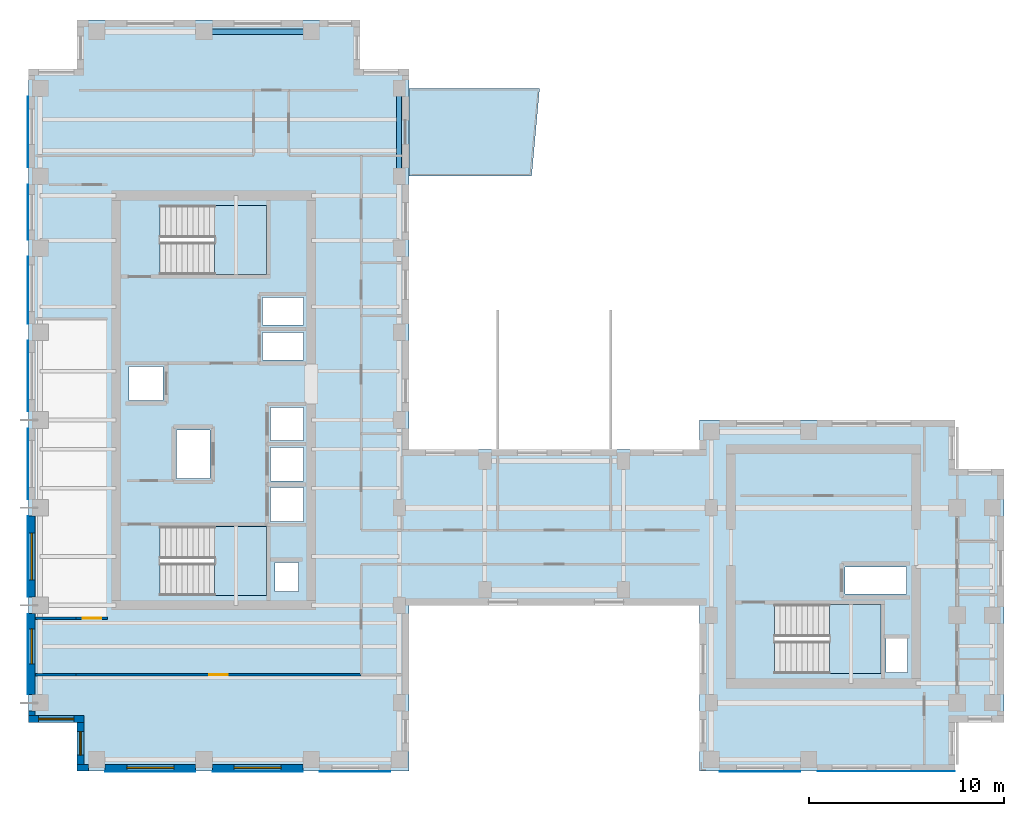
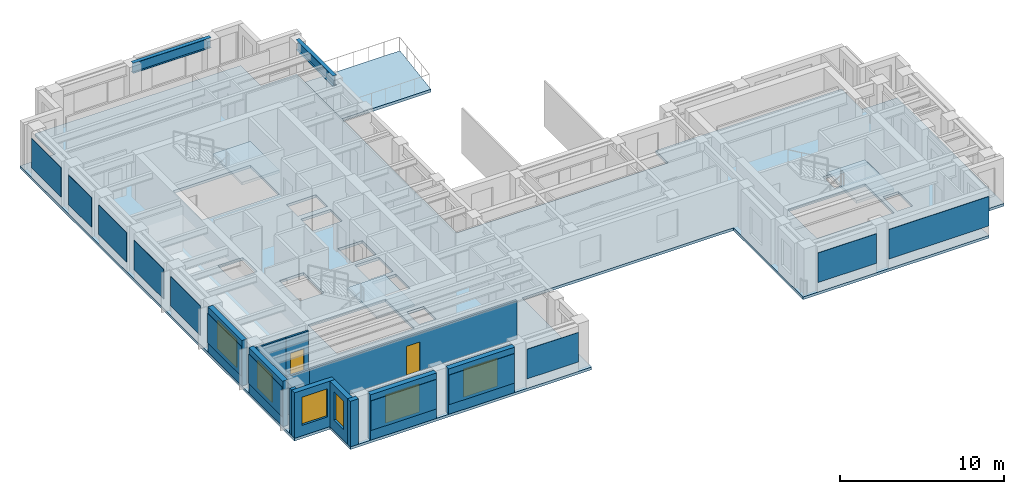
# One storey, part 2 of 10: 12 plates, 12 walls, 6 windows, 5 slabs, 2 beams, 2 doors, 8 openings, 3 elements without a shape of their own.
"""IFC4 building model written with IfcOpenShell, lengths in metres."""

from ifc_helpers import new_model, si_unit, direction, frame, frame_2d, origin, origin_2d, place, context, subcontext, project, spatial, polyline, rectangle, i_section, outline, extrude, source, transform, mapped, material, layer, layer_set, material_profile, profile_set, type_object, element, fill, aggregate, save


model = new_model("IFC4")

# Units and contexts
model_context = context("Model", 3, precision=1e-05, world=origin(), true_north=direction((0.0, 1.0)))
body_context = subcontext(model_context, "Body", "Model", "MODEL_VIEW")
ifc_project = project(units=[si_unit("LENGTHUNIT", "METRE"), si_unit("AREAUNIT", "SQUARE_METRE"), si_unit("VOLUMEUNIT", "CUBIC_METRE"), si_unit("PLANEANGLEUNIT", "RADIAN"), si_unit("MASSUNIT", "GRAM", prefix="KILO")], contexts=[model_context])

# Site, building, storey
site_placement = place(None, origin())
site = spatial("IfcSite", under=ifc_project, at=site_placement, CompositionType="ELEMENT")
building_placement = place(site_placement, origin())
building = spatial("IfcBuilding", under=site, at=building_placement, Name="Kharzan Plaza Tower", CompositionType="ELEMENT")
storey_placement = place(building_placement, frame((0.0, 0.0, 223.199951171875)))
storey = spatial("IfcBuildingStorey", under=building, at=storey_placement, Name="L60", CompositionType="ELEMENT", Elevation=223.199951171875)

# Beams
ifc_material_1 = material(Name="Steel S355", Category="steel")
ifc_material_profile = material_profile(ifc_material_1, i_section(OverallWidth=0.26708984375, OverallDepth=0.76611328125, WebThickness=0.014892578125, FlangeThickness=0.023681640625, at=origin_2d()), Name="W760x185")
ifc_profile_set = profile_set([ifc_material_profile], Name="Steel S355")
beam_type = type_object("IfcBeamType", Name="BM-SP760B", PredefinedType="SPANDREL", material=ifc_profile_set)
shared_shape_1 = source(origin(), body_context, "Body", "SweptSolid", [
    extrude(i_section(OverallWidth=0.26708984375, OverallDepth=0.76611328125, WebThickness=0.014892578125, FlangeThickness=0.023681640625, at=origin_2d()), origin(), (0.0, 0.0, 1.0), 4.5),
])
beam_1_placement = place(storey_placement, frame((19.0, 30.5, 3.01708984375), z_axis=(0.0, 1.0, 0.0), x_axis=(-1.0, 0.0, 0.0)))
element("IfcBeam", 1, at=beam_1_placement, inside=storey, type_object=beam_type, Name="L60 Perimeter Tube Spandrel", PredefinedType="SPANDREL", context=body_context, shape_type="MappedRepresentation", body=[
    mapped(shared_shape_1, transform((0.0, 0.0, 0.0), x_axis=(1.0, 0.0, 0.0), y_axis=(0.0, 1.0, 0.0), z_axis=(0.0, 0.0, 1.0))),
])
shared_shape_2 = source(origin(), body_context, "Body", "SweptSolid", [
    extrude(i_section(OverallWidth=0.26708984375, OverallDepth=0.76611328125, WebThickness=0.014892578125, FlangeThickness=0.023681640625, at=origin_2d()), origin(), (0.0, 0.0, 1.0), 5.5),
])
beam_2_placement = place(storey_placement, frame((9.0, 37.89990234375, 3.01708984375), z_axis=(1.0, 0.0, 0.0), x_axis=(0.0, 1.0, 0.0)))
element("IfcBeam", 2, at=beam_2_placement, inside=storey, type_object=beam_type, Name="L60 Perimeter Tube Spandrel", PredefinedType="SPANDREL", context=body_context, shape_type="MappedRepresentation", body=[
    mapped(shared_shape_2, transform((0.0, 0.0, 0.0), x_axis=(1.0, 0.0, 0.0), y_axis=(0.0, 1.0, 0.0), z_axis=(0.0, 0.0, 1.0))),
])

# Slab
ifc_material_2 = material(Name="Concrete C40/50", Category="concrete")
ifc_layer_1 = layer(ifc_material_2, 0.199951171875)
ifc_layer_set_1 = layer_set([ifc_layer_1], Name="Concrete C40/50")
slab_type_1 = type_object("IfcSlabType", Name="SL-FLOOR-200", PredefinedType="FLOOR", material=ifc_layer_set_1)
slab_1_placement = place(storey_placement, frame((0.0, 0.0, -0.199951171875)))
element("IfcSlab", 3, at=slab_1_placement, inside=storey, type_object=slab_type_1, Name="L60 Composite Structural Floor Slab 200 mm", PredefinedType="FLOOR", context=body_context, shape_type="SweptSolid", body=[
    extrude(outline(polyline([(34.39990234375, 16.5), (19.5, 16.5), (19.5, 36.0), (17.0, 36.0), (17.0, 38.5), (2.5, 38.5), (2.5, 36.0), (0.0, 36.0), (0.0, 2.5), (2.5, 2.5), (2.5, 0.0), (19.5, 0.0), (19.5, 8.5), (34.39990234375, 8.5), (34.39990234375, 0.0), (47.5, 0.0), (47.5, 2.5), (50.0, 2.5), (50.0, 15.5), (47.5, 15.5), (47.5, 18.0), (34.39990234375, 18.0), (34.39990234375, 16.5)]), holes=[polyline([(12.199951171875, 12.550048828125), (6.75, 12.550048828125), (6.75, 9.0), (12.199951171875, 9.0), (12.199951171875, 12.550048828125)]), polyline([(14.10009765625, 12.800048828125), (14.10009765625, 14.530029296875), (12.39990234375, 14.530029296875), (12.39990234375, 12.800048828125), (14.10009765625, 12.800048828125)]), polyline([(9.300048828125, 15.0), (9.300048828125, 17.5), (7.60009765625, 17.5), (7.60009765625, 15.0), (9.300048828125, 15.0)]), polyline([(6.89990234375, 20.72998046875), (5.14990234375, 20.72998046875), (5.14990234375, 19.010009765625), (6.89990234375, 19.010009765625), (6.89990234375, 20.72998046875)]), polyline([(14.10009765625, 21.070068359375), (14.10009765625, 22.489990234375), (12.0, 22.489990234375), (12.0, 21.070068359375), (14.10009765625, 21.070068359375)]), polyline([(14.10009765625, 22.8701171875), (14.10009765625, 24.2900390625), (12.0, 24.2900390625), (12.0, 22.8701171875), (14.10009765625, 22.8701171875)]), polyline([(12.199951171875, 29.0), (6.75, 29.0), (6.75, 25.449951171875), (12.199951171875, 25.449951171875), (12.199951171875, 29.0)]), polyline([(45.050048828125, 5.050048828125), (45.050048828125, 6.800048828125), (43.949951171875, 6.800048828125), (43.949951171875, 5.050048828125), (45.050048828125, 5.050048828125)]), polyline([(43.699951171875, 5.0), (43.699951171875, 8.550048828125), (38.25, 8.550048828125), (38.25, 5.0), (43.699951171875, 5.0)]), polyline([(45.0, 9.070068359375), (45.0, 10.469970703125), (41.85009765625, 10.469970703125), (41.85009765625, 9.070068359375), (45.0, 9.070068359375)]), polyline([(13.85009765625, 9.199951171875), (13.85009765625, 10.699951171875), (12.64990234375, 10.699951171875), (12.64990234375, 9.199951171875), (13.85009765625, 9.199951171875)]), polyline([(14.10009765625, 14.8701171875), (14.10009765625, 16.60009765625), (12.39990234375, 16.60009765625), (12.39990234375, 14.8701171875), (14.10009765625, 14.8701171875)]), polyline([(14.10009765625, 16.93994140625), (14.10009765625, 18.64990234375), (12.39990234375, 18.64990234375), (12.39990234375, 16.93994140625), (14.10009765625, 16.93994140625)])]), origin(), (0.0, 0.0, 1.0), 0.199951171875),
])

# Stair, slab
stair_type_1 = type_object("IfcStairType", Name="STR-ST-1", PredefinedType="HALF_TURN_STAIR", material=ifc_material_2)
stair_1_placement = place(storey_placement, origin())
stair_1 = element("IfcStair", 4, at=stair_1_placement, inside=storey, type_object=stair_type_1, Name="L60 Protected Exit Stair ST-1", PredefinedType="HALF_TURN_STAIR")
ifc_layer_2 = layer(ifc_material_2, 0.219970703125)
ifc_layer_set_2 = layer_set([ifc_layer_2], Name="Concrete C40/50")
slab_type_2 = type_object("IfcSlabType", Name="SL-LANDING-220", PredefinedType="LANDING", material=ifc_layer_set_2)
slab_2_placement = place(storey_placement, frame((0.0, 0.0, 1.60009765625)))
slab_2 = element("IfcSlab", 5, at=slab_2_placement, type_object=slab_type_2, Name="ST-1 landing 1", PredefinedType="LANDING", context=body_context, shape_type="SweptSolid", body=[
    extrude(outline(polyline([(9.550048828125, 9.0), (12.199951171875, 9.0), (12.199951171875, 12.550048828125), (9.550048828125, 12.550048828125), (9.550048828125, 9.0)])), origin(), (0.0, 0.0, 1.0), 0.199951171875),
])
aggregate(stair_1, [slab_2])

stair_type_2 = type_object("IfcStairType", Name="STR-ST-2", PredefinedType="HALF_TURN_STAIR", material=ifc_material_2)
stair_2_placement = place(storey_placement, origin())
stair_2 = element("IfcStair", 6, at=stair_2_placement, inside=storey, type_object=stair_type_2, Name="L60 Protected Exit Stair ST-2", PredefinedType="HALF_TURN_STAIR")
slab_3_placement = place(storey_placement, frame((0.0, 0.0, 1.60009765625)))
slab_3 = element("IfcSlab", 7, at=slab_3_placement, type_object=slab_type_2, Name="ST-2 landing 1", PredefinedType="LANDING", context=body_context, shape_type="SweptSolid", body=[
    extrude(outline(polyline([(9.550048828125, 25.449951171875), (12.199951171875, 25.449951171875), (12.199951171875, 29.0), (9.550048828125, 29.0), (9.550048828125, 25.449951171875)])), origin(), (0.0, 0.0, 1.0), 0.199951171875),
])
aggregate(stair_2, [slab_3])

stair_type_3 = type_object("IfcStairType", Name="STR-ST-3", PredefinedType="HALF_TURN_STAIR", material=ifc_material_2)
stair_3_placement = place(storey_placement, origin())
stair_3 = element("IfcStair", 8, at=stair_3_placement, inside=storey, type_object=stair_type_3, Name="L60 Protected Exit Stair ST-3", PredefinedType="HALF_TURN_STAIR")
slab_4_placement = place(storey_placement, frame((0.0, 0.0, 1.60009765625)))
slab_4 = element("IfcSlab", 9, at=slab_4_placement, type_object=slab_type_2, Name="ST-3 landing 1", PredefinedType="LANDING", context=body_context, shape_type="SweptSolid", body=[
    extrude(outline(polyline([(41.050048828125, 5.0), (43.699951171875, 5.0), (43.699951171875, 8.550048828125), (41.050048828125, 8.550048828125), (41.050048828125, 5.0)])), origin(), (0.0, 0.0, 1.0), 0.199951171875),
])
aggregate(stair_3, [slab_4])

# Slab
ifc_layer_3 = layer(ifc_material_2, 0.215087890625)
ifc_layer_set_3 = layer_set([ifc_layer_3], Name="Concrete C40/50")
slab_type_3 = type_object("IfcSlabType", Name="SL-TRAY-215", PredefinedType="ROOF", material=ifc_layer_set_3)
slab_5_placement = place(storey_placement, frame((0.0, 0.0, -0.21484375)))
element("IfcSlab", 10, at=slab_5_placement, inside=storey, type_object=slab_type_3, Name="L60 Sky Terrace Tray Slab", PredefinedType="ROOF", context=body_context, shape_type="SweptSolid", body=[
    extrude(outline(polyline([(19.5, 30.5), (25.7900390625, 30.5), (26.199951171875, 35.0), (19.5, 35.0), (19.5, 30.5)])), origin(), (0.0, 0.0, 1.0), 0.21484375),
])

# Plates
ifc_material_3 = material(Name="Perforated Bronze-Anodized Aluminium", Category="aluminium")
ifc_layer_4 = layer(ifc_material_3, 0.030029296875)
ifc_layer_set_4 = layer_set([ifc_layer_4], Name="Perforated Bronze-Anodized Aluminium")
plate_type = type_object("IfcPlateType", Name="PLT-MASH-SCREEN", PredefinedType="SHEET", material=ifc_layer_set_4)
shared_shape_3 = source(origin(), body_context, "Body", "SweptSolid", [
    extrude(rectangle(XDim=3.614013671875, YDim=0.030029296875, at=origin_2d()), origin(), (0.0, 0.0, 1.0), 2.199951171875),
])
for number, where, z_axis, x_axis, name in (
    (11, (-0.012939453125, 32.75, 0.72998046875), (0.0, 0.0, 1.0), (0.0, -1.0, 0.0), "L60 Perforated Mashrabiya Solar Screen"),
    (12, (-0.012939453125, 20.25, 0.72998046875), (0.0, 0.0, 1.0), (0.0, -1.0, 0.0), "L60 Perforated Mashrabiya Solar Screen"),
    (13, (-0.012939453125, 15.75, 0.72998046875), (0.0, 0.0, 1.0), (0.0, -1.0, 0.0), "L60 Perforated Mashrabiya Solar Screen"),
    (14, (16.75, -0.012939453125, 0.72998046875), (0.0, 0.0, 1.0), (1.0, 0.0, 0.0), "L60 Perforated Mashrabiya Solar Screen"),
):
    element("IfcPlate", number, at=place(storey_placement, frame(where, z_axis=z_axis, x_axis=x_axis)), inside=storey, type_object=plate_type, Name=name, PredefinedType="SHEET", context=body_context, shape_type="MappedRepresentation", body=[
        mapped(shared_shape_3, transform((0.0, 0.0, 0.0), x_axis=(1.0, 0.0, 0.0), y_axis=(0.0, 1.0, 0.0), z_axis=(0.0, 0.0, 1.0))),
    ])
shared_shape_4 = source(origin(), body_context, "Body", "SweptSolid", [
    extrude(rectangle(XDim=2.81396484375, YDim=0.030029296875, at=origin_2d()), origin(), (0.0, 0.0, 1.0), 2.199951171875),
])
plate_1_placement = place(storey_placement, frame((-0.012939453125, 28.64990234375, 0.72998046875), z_axis=(0.0, 0.0, 1.0), x_axis=(0.0, -1.0, 0.0)))
element("IfcPlate", 15, at=plate_1_placement, inside=storey, type_object=plate_type, Name="L60 Perforated Mashrabiya Solar Screen", PredefinedType="SHEET", context=body_context, shape_type="MappedRepresentation", body=[
    mapped(shared_shape_4, transform((0.0, 0.0, 0.0), x_axis=(1.0, 0.0, 0.0), y_axis=(0.0, 1.0, 0.0), z_axis=(0.0, 0.0, 1.0))),
])
shared_shape_5 = source(origin(), body_context, "Body", "SweptSolid", [
    extrude(rectangle(XDim=4.114013671875, YDim=0.030029296875, at=origin_2d()), origin(), (0.0, 0.0, 1.0), 2.199951171875),
])
for number, where, z_axis, x_axis, name in (
    (16, (-0.012939453125, 11.0, 0.72998046875), (0.0, 0.0, 1.0), (0.0, -1.0, 0.0), "L60 Perforated Mashrabiya Solar Screen"),
    (17, (-0.012939453125, 6.0, 0.72998046875), (0.0, 0.0, 1.0), (0.0, -1.0, 0.0), "L60 Perforated Mashrabiya Solar Screen"),
    (18, (37.5, -0.012939453125, 0.72998046875), (0.0, 0.0, 1.0), (1.0, 0.0, 0.0), "L60 Perforated Mashrabiya Solar Screen"),
):
    element("IfcPlate", number, at=place(storey_placement, frame(where, z_axis=z_axis, x_axis=x_axis)), inside=storey, type_object=plate_type, Name=name, PredefinedType="SHEET", context=body_context, shape_type="MappedRepresentation", body=[
        mapped(shared_shape_5, transform((0.0, 0.0, 0.0), x_axis=(1.0, 0.0, 0.0), y_axis=(0.0, 1.0, 0.0), z_axis=(0.0, 0.0, 1.0))),
    ])
shared_shape_6 = source(origin(), body_context, "Body", "SweptSolid", [
    extrude(rectangle(XDim=4.614013671875, YDim=0.030029296875, at=origin_2d()), origin(), (0.0, 0.0, 1.0), 2.199951171875),
])
for number, where, z_axis, x_axis, name in (
    (19, (6.25, -0.012939453125, 0.72998046875), (0.0, 0.0, 1.0), (1.0, 0.0, 0.0), "L60 Perforated Mashrabiya Solar Screen"),
    (20, (11.75, -0.012939453125, 0.72998046875), (0.0, 0.0, 1.0), (1.0, 0.0, 0.0), "L60 Perforated Mashrabiya Solar Screen"),
):
    element("IfcPlate", number, at=place(storey_placement, frame(where, z_axis=z_axis, x_axis=x_axis)), inside=storey, type_object=plate_type, Name=name, PredefinedType="SHEET", context=body_context, shape_type="MappedRepresentation", body=[
        mapped(shared_shape_6, transform((0.0, 0.0, 0.0), x_axis=(1.0, 0.0, 0.0), y_axis=(0.0, 1.0, 0.0), z_axis=(0.0, 0.0, 1.0))),
    ])
shared_shape_7 = source(origin(), body_context, "Body", "SweptSolid", [
    extrude(rectangle(XDim=7.037109375, YDim=0.030029296875, at=origin_2d()), origin(), (0.0, 0.0, 1.0), 2.199951171875),
])
plate_2_placement = place(storey_placement, frame((43.96142578125, -0.012939453125, 0.72998046875), z_axis=(0.0, 0.0, 1.0), x_axis=(1.0, 0.0, 0.0)))
element("IfcPlate", 21, at=plate_2_placement, inside=storey, type_object=plate_type, Name="L60 Perforated Mashrabiya Solar Screen", PredefinedType="SHEET", context=body_context, shape_type="MappedRepresentation", body=[
    mapped(shared_shape_7, transform((0.0, 0.0, 0.0), x_axis=(1.0, 0.0, 0.0), y_axis=(0.0, 1.0, 0.0), z_axis=(0.0, 0.0, 1.0))),
])
shared_shape_8 = source(origin(), body_context, "Body", "SweptSolid", [
    extrude(rectangle(XDim=3.4140625, YDim=0.030029296875, at=origin_2d()), origin(), (0.0, 0.0, 1.0), 2.199951171875),
])
plate_3_placement = place(storey_placement, frame((-0.012939453125, 24.64990234375, 0.72998046875), z_axis=(0.0, 0.0, 1.0), x_axis=(0.0, -1.0, 0.0)))
element("IfcPlate", 22, at=plate_3_placement, inside=storey, type_object=plate_type, Name="L60 Perforated Mashrabiya Solar Screen", PredefinedType="SHEET", context=body_context, shape_type="MappedRepresentation", body=[
    mapped(shared_shape_8, transform((0.0, 0.0, 0.0), x_axis=(1.0, 0.0, 0.0), y_axis=(0.0, 1.0, 0.0), z_axis=(0.0, 0.0, 1.0))),
])

# Wall, opening, window
ifc_layer_5 = layer(ifc_material_2, 0.35009765625)
ifc_layer_set_5 = layer_set([ifc_layer_5], Name="Concrete C40/50")
wall_type_1 = type_object("IfcWallType", Name="WL-EXT-MAS-Z4", PredefinedType="SOLIDWALL", material=ifc_layer_set_5)
wall_1_placement = place(storey_placement, frame((0.175048828125, 13.076904296875, 0.0), z_axis=(0.0, 0.0, 1.0), x_axis=(0.0, -1.0, 0.0)))
wall_1 = element("IfcWall", 23, at=wall_1_placement, inside=storey, type_object=wall_type_1, Name="L60 Masonry-Frame Exterior Wall 21", PredefinedType="SOLIDWALL", context=body_context, shape_type="SweptSolid", body=[
    extrude(rectangle(XDim=4.15380859375, YDim=0.35009765625, at=frame_2d((2.076904296875, 0.0))), origin(), (0.0, 0.0, 1.0), 3.385009765625),
])
opening_1_placement = place(wall_1_placement, frame((0.876953125, 0.0, 0.780029296875)))
opening_1 = element("IfcOpeningElement", 24, at=opening_1_placement, cuts=wall_1, Name="Opening W2", PredefinedType="OPENING", context=body_context, shape_type="SweptSolid", body=[
    extrude(rectangle(XDim=2.39990234375, YDim=2.10009765625, at=frame_2d((1.199951171875, 1.050048828125))), frame((0.0, 0.18505859375, 0.0), z_axis=(0.0, -1.0, 0.0), x_axis=(1.0, 0.0, 0.0)), (0.0, 0.0, 1.0), 0.3701171875),
])
ifc_material_4 = material(Name="Low-E Double Glazing", Category="glass")
window_type_1 = type_object("IfcWindowType", Name="WN-REC-2400x2100", PartitioningType="SINGLE_PANEL", PredefinedType="WINDOW", material=ifc_material_4)
shared_shape_9 = source(origin(), body_context, "Body", "SweptSolid", [
    extrude(rectangle(XDim=2.39990234375, YDim=2.10009765625, at=frame_2d((1.199951171875, 1.050048828125))), frame((0.0, 0.030029296875, 0.0), z_axis=(0.0, -1.0, 0.0), x_axis=(1.0, 0.0, 0.0)), (0.0, 0.0, 1.0), 0.06005859375),
])
window_1_placement = place(opening_1_placement, origin())
window_1 = element("IfcWindow", 25, at=window_1_placement, inside=storey, type_object=window_type_1, Name="L60 Wide Recessed Solar-Control Window 21-1", OverallHeight=2.10009765625, OverallWidth=2.39990234375, PartitioningType="SINGLE_PANEL", PredefinedType="WINDOW", context=body_context, shape_type="MappedRepresentation", body=[
    mapped(shared_shape_9, transform((0.0, 0.0, 0.0), x_axis=(1.0, 0.0, 0.0), y_axis=(0.0, 1.0, 0.0), z_axis=(0.0, 0.0, 1.0))),
])
fill(opening_1, window_1)

wall_2_placement = place(storey_placement, frame((0.175048828125, 8.076904296875, 0.0), z_axis=(0.0, 0.0, 1.0), x_axis=(0.0, -1.0, 0.0)))
wall_2 = element("IfcWall", 26, at=wall_2_placement, inside=storey, type_object=wall_type_1, Name="L60 Masonry-Frame Exterior Wall 22", PredefinedType="SOLIDWALL", context=body_context, shape_type="SweptSolid", body=[
    extrude(rectangle(XDim=4.15380859375, YDim=0.35009765625, at=frame_2d((2.076904296875, 0.0))), origin(), (0.0, 0.0, 1.0), 3.385009765625),
])
opening_2_placement = place(wall_2_placement, frame((0.777099609375, 0.0, 0.780029296875)))
opening_2 = element("IfcOpeningElement", 27, at=opening_2_placement, cuts=wall_2, Name="Opening W1", PredefinedType="OPENING", context=body_context, shape_type="SweptSolid", body=[
    extrude(rectangle(XDim=1.800048828125, YDim=2.10009765625, at=frame_2d((0.89990234375, 1.050048828125))), frame((0.0, 0.18505859375, 0.0), z_axis=(0.0, -1.0, 0.0), x_axis=(1.0, 0.0, 0.0)), (0.0, 0.0, 1.0), 0.3701171875),
])
window_type_2 = type_object("IfcWindowType", Name="WN-REC-1800x2100", PartitioningType="SINGLE_PANEL", PredefinedType="WINDOW", material=ifc_material_4)
shared_shape_10 = source(origin(), body_context, "Body", "SweptSolid", [
    extrude(rectangle(XDim=1.800048828125, YDim=2.10009765625, at=frame_2d((0.89990234375, 1.050048828125))), frame((0.0, 0.030029296875, 0.0), z_axis=(0.0, -1.0, 0.0), x_axis=(1.0, 0.0, 0.0)), (0.0, 0.0, 1.0), 0.06005859375),
])
window_2_placement = place(opening_2_placement, origin())
window_2 = element("IfcWindow", 28, at=window_2_placement, inside=storey, type_object=window_type_2, Name="L60 Recessed Solar-Control Window 22-1", OverallHeight=2.10009765625, OverallWidth=1.800048828125, PartitioningType="SINGLE_PANEL", PredefinedType="WINDOW", context=body_context, shape_type="MappedRepresentation", body=[
    mapped(shared_shape_10, transform((0.0, 0.0, 0.0), x_axis=(1.0, 0.0, 0.0), y_axis=(0.0, 1.0, 0.0), z_axis=(0.0, 0.0, 1.0))),
])
fill(opening_2, window_2)

wall_3_placement = place(storey_placement, frame((0.0, 2.675048828125, 0.0), z_axis=(0.0, 0.0, 1.0), x_axis=(1.0, 0.0, 0.0)))
wall_3 = element("IfcWall", 29, at=wall_3_placement, inside=storey, type_object=wall_type_1, Name="L60 Masonry-Frame Exterior Wall 24", PredefinedType="SOLIDWALL", context=body_context, shape_type="SweptSolid", body=[
    extrude(rectangle(XDim=2.85009765625, YDim=0.35009765625, at=frame_2d((1.425048828125, 0.0))), origin(), (0.0, 0.0, 1.0), 3.385009765625),
])
opening_3_placement = place(wall_3_placement, frame((0.52490234375, 0.0, 0.780029296875)))
opening_3 = element("IfcOpeningElement", 30, at=opening_3_placement, cuts=wall_3, Name="Opening W1", PredefinedType="OPENING", context=body_context, shape_type="SweptSolid", body=[
    extrude(rectangle(XDim=1.800048828125, YDim=2.10009765625, at=frame_2d((0.89990234375, 1.050048828125))), frame((0.0, 0.18505859375, 0.0), z_axis=(0.0, -1.0, 0.0), x_axis=(1.0, 0.0, 0.0)), (0.0, 0.0, 1.0), 0.3701171875),
])
window_3_placement = place(opening_3_placement, origin())
window_3 = element("IfcWindow", 31, at=window_3_placement, inside=storey, type_object=window_type_2, Name="L60 Recessed Solar-Control Window 24-1", OverallHeight=2.10009765625, OverallWidth=1.800048828125, PartitioningType="SINGLE_PANEL", PredefinedType="WINDOW", context=body_context, shape_type="MappedRepresentation", body=[
    mapped(shared_shape_10, transform((0.0, 0.0, 0.0), x_axis=(1.0, 0.0, 0.0), y_axis=(0.0, 1.0, 0.0), z_axis=(0.0, 0.0, 1.0))),
])
fill(opening_3, window_3)

wall_4_placement = place(storey_placement, frame((2.675048828125, 2.501953125, 0.0), z_axis=(0.0, 0.0, 1.0), x_axis=(0.0, -1.0, 0.0)))
wall_4 = element("IfcWall", 32, at=wall_4_placement, inside=storey, type_object=wall_type_1, Name="L60 Masonry-Frame Exterior Wall 25", PredefinedType="SOLIDWALL", context=body_context, shape_type="SweptSolid", body=[
    extrude(rectangle(XDim=2.154052734375, YDim=0.35009765625, at=frame_2d((1.0771484375, 0.0))), origin(), (0.0, 0.0, 1.0), 3.385009765625),
])
opening_4_placement = place(wall_4_placement, frame((0.47705078125, 0.0, 0.780029296875)))
opening_4 = element("IfcOpeningElement", 33, at=opening_4_placement, cuts=wall_4, Name="Opening W3", PredefinedType="OPENING", context=body_context, shape_type="SweptSolid", body=[
    extrude(rectangle(XDim=1.199951171875, YDim=2.10009765625, at=frame_2d((0.60009765625, 1.050048828125))), frame((0.0, 0.18505859375, 0.0), z_axis=(0.0, -1.0, 0.0), x_axis=(1.0, 0.0, 0.0)), (0.0, 0.0, 1.0), 0.3701171875),
])
window_type_3 = type_object("IfcWindowType", Name="WN-REC-1200x2100", PartitioningType="SINGLE_PANEL", PredefinedType="WINDOW", material=ifc_material_4)
shared_shape_11 = source(origin(), body_context, "Body", "SweptSolid", [
    extrude(rectangle(XDim=1.199951171875, YDim=2.10009765625, at=frame_2d((0.60009765625, 1.050048828125))), frame((0.0, 0.030029296875, 0.0), z_axis=(0.0, -1.0, 0.0), x_axis=(1.0, 0.0, 0.0)), (0.0, 0.0, 1.0), 0.06005859375),
])
window_4_placement = place(opening_4_placement, origin())
window_4 = element("IfcWindow", 34, at=window_4_placement, inside=storey, type_object=window_type_3, Name="L60 Recessed Solar-Control Window 25-1", OverallHeight=2.10009765625, OverallWidth=1.199951171875, PartitioningType="SINGLE_PANEL", PredefinedType="WINDOW", context=body_context, shape_type="MappedRepresentation", body=[
    mapped(shared_shape_11, transform((0.0, 0.0, 0.0), x_axis=(1.0, 0.0, 0.0), y_axis=(0.0, 1.0, 0.0), z_axis=(0.0, 0.0, 1.0))),
])
fill(opening_4, window_4)

wall_5_placement = place(storey_placement, frame((3.923095703125, 0.175048828125, 0.0), z_axis=(0.0, 0.0, 1.0), x_axis=(1.0, 0.0, 0.0)))
wall_5 = element("IfcWall", 35, at=wall_5_placement, inside=storey, type_object=wall_type_1, Name="L60 Masonry-Frame Exterior Wall 27", PredefinedType="SOLIDWALL", context=body_context, shape_type="SweptSolid", body=[
    extrude(rectangle(XDim=4.65380859375, YDim=0.35009765625, at=frame_2d((2.326904296875, 0.0))), origin(), (0.0, 0.0, 1.0), 3.385009765625),
])
opening_5_placement = place(wall_5_placement, frame((1.126953125, 0.0, 0.780029296875)))
opening_5 = element("IfcOpeningElement", 36, at=opening_5_placement, cuts=wall_5, Name="Opening W2", PredefinedType="OPENING", context=body_context, shape_type="SweptSolid", body=[
    extrude(rectangle(XDim=2.39990234375, YDim=2.10009765625, at=frame_2d((1.199951171875, 1.050048828125))), frame((0.0, 0.18505859375, 0.0), z_axis=(0.0, -1.0, 0.0), x_axis=(1.0, 0.0, 0.0)), (0.0, 0.0, 1.0), 0.3701171875),
])
window_5_placement = place(opening_5_placement, origin())
window_5 = element("IfcWindow", 37, at=window_5_placement, inside=storey, type_object=window_type_1, Name="L60 Wide Recessed Solar-Control Window 27-1", OverallHeight=2.10009765625, OverallWidth=2.39990234375, PartitioningType="SINGLE_PANEL", PredefinedType="WINDOW", context=body_context, shape_type="MappedRepresentation", body=[
    mapped(shared_shape_9, transform((0.0, 0.0, 0.0), x_axis=(1.0, 0.0, 0.0), y_axis=(0.0, 1.0, 0.0), z_axis=(0.0, 0.0, 1.0))),
])
fill(opening_5, window_5)

wall_6_placement = place(storey_placement, frame((9.423095703125, 0.175048828125, 0.0), z_axis=(0.0, 0.0, 1.0), x_axis=(1.0, 0.0, 0.0)))
wall_6 = element("IfcWall", 38, at=wall_6_placement, inside=storey, type_object=wall_type_1, Name="L60 Masonry-Frame Exterior Wall 28", PredefinedType="SOLIDWALL", context=body_context, shape_type="SweptSolid", body=[
    extrude(rectangle(XDim=4.65380859375, YDim=0.35009765625, at=frame_2d((2.326904296875, 0.0))), origin(), (0.0, 0.0, 1.0), 3.385009765625),
])
opening_6_placement = place(wall_6_placement, frame((1.126953125, 0.0, 0.780029296875)))
opening_6 = element("IfcOpeningElement", 39, at=opening_6_placement, cuts=wall_6, Name="Opening W2", PredefinedType="OPENING", context=body_context, shape_type="SweptSolid", body=[
    extrude(rectangle(XDim=2.39990234375, YDim=2.10009765625, at=frame_2d((1.199951171875, 1.050048828125))), frame((0.0, 0.18505859375, 0.0), z_axis=(0.0, -1.0, 0.0), x_axis=(1.0, 0.0, 0.0)), (0.0, 0.0, 1.0), 0.3701171875),
])
window_6_placement = place(opening_6_placement, origin())
window_6 = element("IfcWindow", 40, at=window_6_placement, inside=storey, type_object=window_type_1, Name="L60 Wide Recessed Solar-Control Window 28-1", OverallHeight=2.10009765625, OverallWidth=2.39990234375, PartitioningType="SINGLE_PANEL", PredefinedType="WINDOW", context=body_context, shape_type="MappedRepresentation", body=[
    mapped(shared_shape_9, transform((0.0, 0.0, 0.0), x_axis=(1.0, 0.0, 0.0), y_axis=(0.0, 1.0, 0.0), z_axis=(0.0, 0.0, 1.0))),
])
fill(opening_6, window_6)

# Wall, opening, door
ifc_material_5 = material(Name="Fire-Rated Gypsum Board Partition", Category="gypsum")
ifc_layer_6 = layer(ifc_material_5, 0.125)
ifc_layer_set_6 = layer_set([ifc_layer_6], Name="Fire-Rated Gypsum Board Partition")
wall_type_2 = type_object("IfcWallType", Name="WL-INT-PART-125", PredefinedType="PARTITIONING", material=ifc_layer_set_6)
wall_7_placement = place(storey_placement, frame((2.449951171875, 7.85009765625, 0.0), z_axis=(0.0, 0.0, 1.0), x_axis=(1.0, 0.0, 0.0)))
wall_7 = element("IfcWall", 41, at=wall_7_placement, inside=storey, type_object=wall_type_2, Name="L60 Interior Partition SH-RWSD", PredefinedType="PARTITIONING", context=body_context, shape_type="SweptSolid", body=[
    extrude(rectangle(XDim=1.60009765625, YDim=0.125, at=frame_2d((0.800048828125, 0.0))), origin(), (0.0, 0.0, 1.0), 3.385009765625),
])
opening_7_placement = place(wall_7_placement, frame((0.324951171875, 0.0, 0.0)))
opening_7 = element("IfcOpeningElement", 42, at=opening_7_placement, cuts=wall_7, Name="Opening OD1", PredefinedType="OPENING", context=body_context, shape_type="SweptSolid", body=[
    extrude(rectangle(XDim=0.949951171875, YDim=2.14990234375, at=frame_2d((0.47509765625, 1.074951171875))), frame((0.0, 0.072509765625, 0.0), z_axis=(0.0, -1.0, 0.0), x_axis=(1.0, 0.0, 0.0)), (0.0, 0.0, 1.0), 0.14501953125),
])
ifc_material_6 = material(Name="Acoustic Solid-Core Stained Oak", Category="timber")
door_type = type_object("IfcDoorType", Name="DR-OFF-SINGLE", OperationType="NOTDEFINED", PredefinedType="DOOR", material=ifc_material_6)
shared_shape_12 = source(origin(), body_context, "Body", "SweptSolid", [
    extrude(rectangle(XDim=0.949951171875, YDim=2.14990234375, at=frame_2d((0.47509765625, 1.074951171875))), frame((0.0, 0.02490234375, 0.0), z_axis=(0.0, -1.0, 0.0), x_axis=(1.0, 0.0, 0.0)), (0.0, 0.0, 1.0), 0.050048828125),
])
door_1_placement = place(opening_7_placement, origin())
door_1 = element("IfcDoor", 43, at=door_1_placement, inside=storey, type_object=door_type, Name="L60 West Office 1 Door", OperationType="SINGLE_SWING_RIGHT", OverallHeight=2.14990234375, OverallWidth=0.949951171875, PredefinedType="DOOR", context=body_context, shape_type="MappedRepresentation", body=[
    mapped(shared_shape_12, transform((0.0, 0.0, 0.0), x_axis=(1.0, 0.0, 0.0), y_axis=(0.0, 1.0, 0.0), z_axis=(0.0, 0.0, 1.0))),
])
fill(opening_7, door_1)

wall_8_placement = place(storey_placement, frame((2.449951171875, 4.949951171875, 0.0), z_axis=(0.0, 0.0, 1.0), x_axis=(1.0, 0.0, 0.0)))
wall_8 = element("IfcWall", 44, at=wall_8_placement, inside=storey, type_object=wall_type_2, Name="L60 Interior Partition SH-SS-1", PredefinedType="PARTITIONING", context=body_context, shape_type="SweptSolid", body=[
    extrude(rectangle(XDim=14.60009765625, YDim=0.125, at=frame_2d((7.300048828125, 0.0))), origin(), (0.0, 0.0, 1.0), 2.84814453125),
])
opening_8_placement = place(wall_8_placement, frame((6.824951171875, 0.0, 0.0)))
opening_8 = element("IfcOpeningElement", 45, at=opening_8_placement, cuts=wall_8, Name="Opening OD1", PredefinedType="OPENING", context=body_context, shape_type="SweptSolid", body=[
    extrude(rectangle(XDim=0.949951171875, YDim=2.14990234375, at=frame_2d((0.47509765625, 1.074951171875))), frame((0.0, 0.072509765625, 0.0), z_axis=(0.0, -1.0, 0.0), x_axis=(1.0, 0.0, 0.0)), (0.0, 0.0, 1.0), 0.14501953125),
])
door_2_placement = place(opening_8_placement, origin())
door_2 = element("IfcDoor", 46, at=door_2_placement, inside=storey, type_object=door_type, Name="L60 Arbitration Hearing Room Door", OperationType="SINGLE_SWING_RIGHT", OverallHeight=2.14990234375, OverallWidth=0.949951171875, PredefinedType="DOOR", context=body_context, shape_type="MappedRepresentation", body=[
    mapped(shared_shape_12, transform((0.0, 0.0, 0.0), x_axis=(1.0, 0.0, 0.0), y_axis=(0.0, 1.0, 0.0), z_axis=(0.0, 0.0, 1.0))),
])
fill(opening_8, door_2)

# Walls
shared_shape_13 = source(origin(), body_context, "Body", "SweptSolid", [
    extrude(rectangle(XDim=2.097900390625, YDim=0.125, at=frame_2d((1.048828125, 0.0))), origin(), (0.0, 0.0, 1.0), 3.385009765625),
])
wall_9_placement = place(storey_placement, frame((0.35205078125, 7.85009765625, 0.0), z_axis=(0.0, 0.0, 1.0), x_axis=(1.0, 0.0, 0.0)))
element("IfcWall", 47, at=wall_9_placement, inside=storey, type_object=wall_type_2, Name="L60 Interior Partition SH-RWS0", PredefinedType="PARTITIONING", context=body_context, shape_type="MappedRepresentation", body=[
    mapped(shared_shape_13, transform((0.0, 0.0, 0.0), x_axis=(1.0, 0.0, 0.0), y_axis=(0.0, 1.0, 0.0), z_axis=(0.0, 0.0, 1.0))),
])
shared_shape_14 = source(origin(), body_context, "Body", "SweptSolid", [
    extrude(rectangle(XDim=2.097900390625, YDim=0.125, at=frame_2d((1.048828125, 0.0))), origin(), (0.0, 0.0, 1.0), 2.84814453125),
])
wall_10_placement = place(storey_placement, frame((0.35205078125, 4.949951171875, 0.0), z_axis=(0.0, 0.0, 1.0), x_axis=(1.0, 0.0, 0.0)))
element("IfcWall", 48, at=wall_10_placement, inside=storey, type_object=wall_type_2, Name="L60 Interior Partition SH-SS-EXT", PredefinedType="PARTITIONING", context=body_context, shape_type="MappedRepresentation", body=[
    mapped(shared_shape_14, transform((0.0, 0.0, 0.0), x_axis=(1.0, 0.0, 0.0), y_axis=(0.0, 1.0, 0.0), z_axis=(0.0, 0.0, 1.0))),
])
shared_shape_15 = source(origin(), body_context, "Body", "SweptSolid", [
    extrude(rectangle(XDim=0.576904296875, YDim=0.35009765625, at=frame_2d((0.28857421875, 0.0))), origin(), (0.0, 0.0, 1.0), 3.385009765625),
])
wall_11_placement = place(storey_placement, frame((2.5, 0.175048828125, 0.0), z_axis=(0.0, 0.0, 1.0), x_axis=(1.0, 0.0, 0.0)))
element("IfcWall", 49, at=wall_11_placement, inside=storey, type_object=wall_type_1, Name="L60 Masonry-Frame Exterior Wall 26", PredefinedType="SOLIDWALL", context=body_context, shape_type="MappedRepresentation", body=[
    mapped(shared_shape_15, transform((0.0, 0.0, 0.0), x_axis=(1.0, 0.0, 0.0), y_axis=(0.0, 1.0, 0.0), z_axis=(0.0, 0.0, 1.0))),
])
shared_shape_16 = source(origin(), body_context, "Body", "SweptSolid", [
    extrude(rectangle(XDim=0.22900390625, YDim=0.35009765625, at=frame_2d((0.114501953125, 0.0))), origin(), (0.0, 0.0, 1.0), 3.385009765625),
])
wall_12_placement = place(storey_placement, frame((0.175048828125, 3.076904296875, 0.0), z_axis=(0.0, 0.0, 1.0), x_axis=(0.0, -1.0, 0.0)))
element("IfcWall", 50, at=wall_12_placement, inside=storey, type_object=wall_type_1, Name="L60 Masonry-Frame Exterior Wall 23", PredefinedType="SOLIDWALL", context=body_context, shape_type="MappedRepresentation", body=[
    mapped(shared_shape_16, transform((0.0, 0.0, 0.0), x_axis=(1.0, 0.0, 0.0), y_axis=(0.0, 1.0, 0.0), z_axis=(0.0, 0.0, 1.0))),
])

save(model, "model.ifc")
